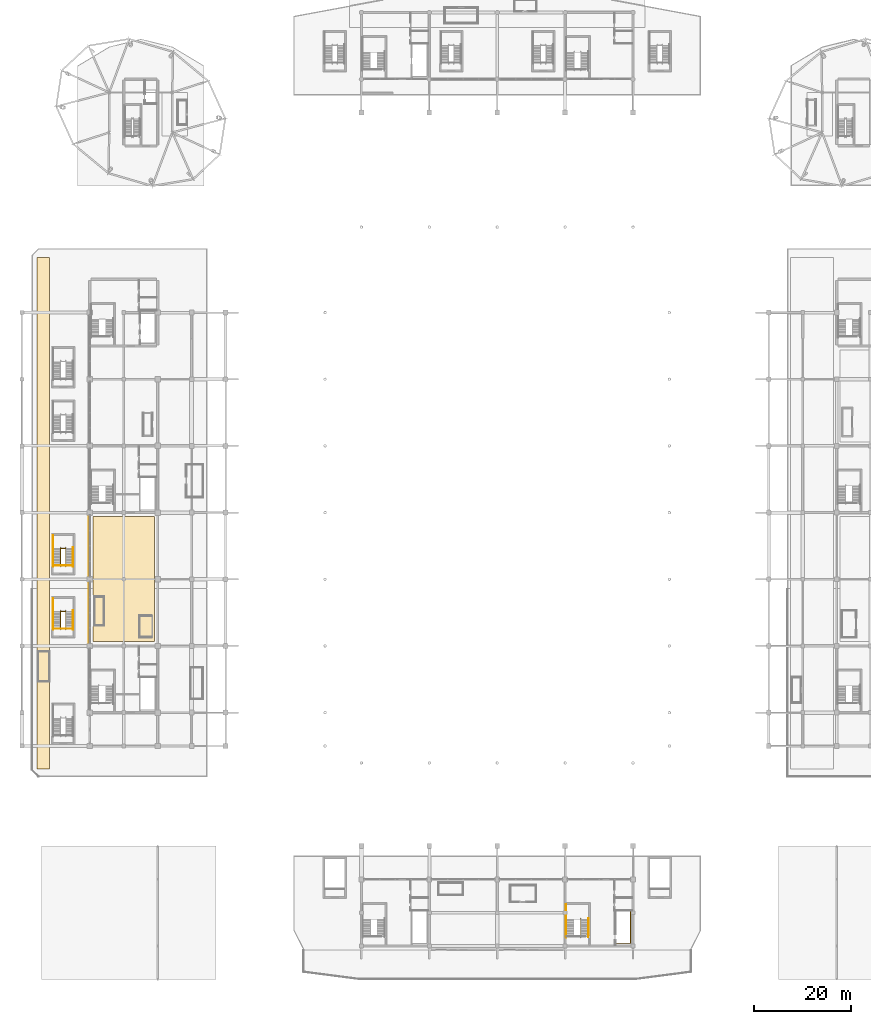
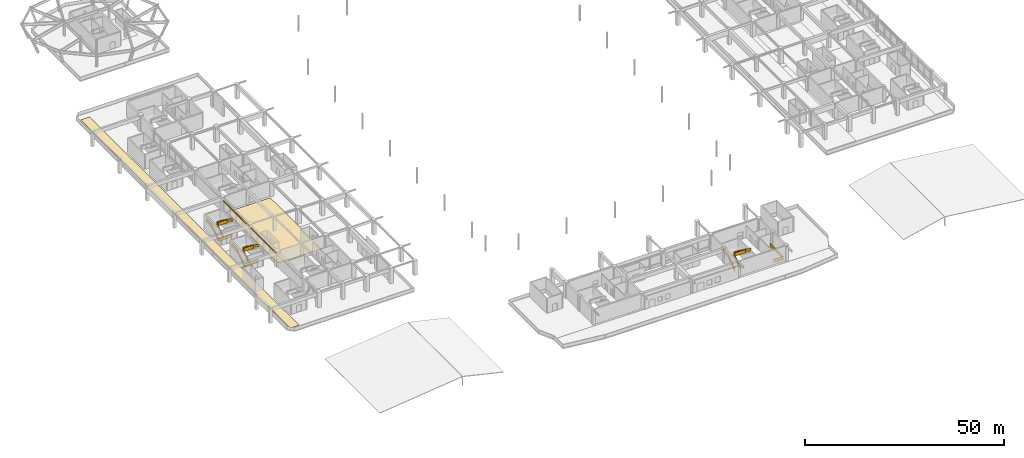
# One storey, part 81 of 91: 12 railings, 2 coverings, 2 shading devices.
"""IFC4 building model written with IfcOpenShell, lengths in metres."""

import ifcopenshell
import ifcopenshell.guid

model = None  # the IFC model being written
_history = None  # IfcOwnerHistory: only IFC2X3 demands one
_inside = {}  # id of a spatial element -> (the spatial element, [elements in it])
_under = {}  # id of a project, library or spatial element -> (it, [spatial elements below it])
_declared = {}  # id of a project -> (the project, [libraries it declares])
_typed = {}  # id of a type object -> (the type object, [elements of that type])
_made_of = {}  # id of a material, layer set ... -> (it, [elements and type objects made of it])


def new_model(schema):
    """Start an empty IFC model of exactly this schema.

    Asked for "IFC4X3", IfcOpenShell would pick the latest addendum, in which some entities
    have other attributes; the version numbers below select the first issue.
    IFC2X3 requires an IfcOwnerHistory on every rooted entity: one is made here for all.
    """
    global model, _history
    if schema == "IFC4X3":
        model = ifcopenshell.file(schema_version=(4, 3, 0, 0))
    else:
        model = ifcopenshell.file(schema=schema)
    _inside.clear()
    _under.clear()
    _declared.clear()
    _typed.clear()
    _made_of.clear()
    _history = None
    if model.schema == "IFC2X3":
        org = make("IfcOrganization", Name="unknown")
        user = make(
            "IfcPersonAndOrganization",
            ThePerson=make("IfcPerson", FamilyName="unknown"),
            TheOrganization=org,
        )
        app = make(
            "IfcApplication",
            ApplicationDeveloper=org,
            Version="unknown",
            ApplicationFullName="unknown",
            ApplicationIdentifier="unknown",
        )
        _history = make(
            "IfcOwnerHistory",
            OwningUser=user,
            OwningApplication=app,
            ChangeAction="ADDED",
            CreationDate=0,
        )
    return model


def make(cls, **values):
    """One entity of the class cls with the attributes given. An attribute that is None is left unset."""
    return model.create_entity(
        cls, **{name: value for name, value in values.items() if value is not None}
    )


def rooted(cls, **values):
    """An entity with a GlobalId (a new one), such as an element, a storey or a relation."""
    return make(cls, GlobalId=ifcopenshell.guid.new(), OwnerHistory=_history, **values)


def si_unit(unit_type, name, prefix=None):
    """IfcSIUnit, for example si_unit("LENGTHUNIT", "METRE", prefix="MILLI")."""
    return make("IfcSIUnit", UnitType=unit_type, Prefix=prefix, Name=name)


def assignment(units):
    """IfcUnitAssignment: the units of a project."""
    return None if units is None else make("IfcUnitAssignment", Units=units)


def point(xyz):
    """IfcCartesianPoint."""
    return None if xyz is None else make("IfcCartesianPoint", Coordinates=xyz)


def direction(xyz):
    """IfcDirection."""
    return None if xyz is None else make("IfcDirection", DirectionRatios=xyz)


def frame(location, z_axis=None, x_axis=None):
    """IfcAxis2Placement3D, a coordinate frame: its origin and axes. An axis left out is left unset."""
    return make(
        "IfcAxis2Placement3D",
        Location=point(location),
        Axis=direction(z_axis),
        RefDirection=direction(x_axis),
    )


def frame_2d(location, x_axis=None):
    """IfcAxis2Placement2D, a coordinate frame in the plane: its origin and x axis."""
    return make(
        "IfcAxis2Placement2D", Location=point(location), RefDirection=direction(x_axis)
    )


def origin():
    """The frame at (0, 0, 0) with its axes left unset."""
    return frame((0.0, 0.0, 0.0))


def origin_2d():
    """The frame at (0, 0) in the plane with its x axis left unset."""
    return frame_2d((0.0, 0.0))


def place(relative_to, where):
    """IfcLocalPlacement: puts the frame where relative to a parent placement (None: the world)."""
    return make(
        "IfcLocalPlacement", PlacementRelTo=relative_to, RelativePlacement=where
    )


def context(
    kind, dimensions, precision=None, world=None, true_north=None, identifier=None
):
    """IfcGeometricRepresentationContext, for example the 3D "Model" context."""
    return make(
        "IfcGeometricRepresentationContext",
        ContextIdentifier=identifier,
        ContextType=kind,
        CoordinateSpaceDimension=dimensions,
        Precision=precision,
        WorldCoordinateSystem=world,
        TrueNorth=true_north,
    )


def subcontext(parent, identifier, kind, view, scale=None):
    """IfcGeometricRepresentationSubContext, for example "Body" below "Model"."""
    return make(
        "IfcGeometricRepresentationSubContext",
        ContextIdentifier=identifier,
        ContextType=kind,
        ParentContext=parent,
        TargetScale=scale,
        TargetView=view,
    )


def project(units=None, contexts=None):
    """IfcProject with its units and contexts."""
    return rooted(
        "IfcProject",
        Name="project",
        RepresentationContexts=contexts,
        UnitsInContext=assignment(units),
    )


def spatial(cls, under=None, at=None, **own):
    """A site, building, storey or space (cls), placed at a placement, below another one or the project."""
    s = rooted(cls, ObjectPlacement=at, **own)
    if under is not None:
        _under.setdefault(under.id(), (under, []))[1].append(s)
    return s


def polyline(points):
    """IfcPolyline through the points."""
    return make("IfcPolyline", Points=[point(p) for p in points])


def profile(cls, at=None, kind="AREA", **sizes):
    """A parametric profile (cls). Its sizes go by their IFC names, for example OverallWidth=200.0."""
    return make(cls, ProfileType=kind, Position=at, **sizes)


def rectangle(**sizes):
    """IfcRectangleProfileDef."""
    return profile("IfcRectangleProfileDef", **sizes)


def outline(outer, holes=None, kind="AREA"):
    """IfcArbitraryClosedProfileDef: a profile drawn as a closed curve; with holes, ...WithVoids."""
    if holes is None:
        return make("IfcArbitraryClosedProfileDef", ProfileType=kind, OuterCurve=outer)
    return make(
        "IfcArbitraryProfileDefWithVoids",
        ProfileType=kind,
        OuterCurve=outer,
        InnerCurves=holes,
    )


def extrude(swept, where, along, depth):
    """IfcExtrudedAreaSolid: the profile swept, set in the frame where, extruded along a direction by depth."""
    return make(
        "IfcExtrudedAreaSolid",
        SweptArea=swept,
        Position=where,
        ExtrudedDirection=direction(along),
        Depth=depth,
    )


def shape(context_of_items, identifier, shape_type, items):
    """IfcShapeRepresentation: the items that make up one representation, for example the "Body"."""
    return make(
        "IfcShapeRepresentation",
        ContextOfItems=context_of_items,
        RepresentationIdentifier=identifier,
        RepresentationType=shape_type,
        Items=items,
    )


def material(Name=None, Category=None):
    """IfcMaterial."""
    return make("IfcMaterial", Name=Name, Category=Category)


def layer(
    of_material, thickness, ventilated=None, Name=None, Category=None, Priority=None
):
    """IfcMaterialLayer: one layer of a wall or slab, of a material (None: an air gap)."""
    return make(
        "IfcMaterialLayer",
        Material=of_material,
        LayerThickness=thickness,
        IsVentilated=ventilated,
        Name=Name,
        Category=Category,
        Priority=Priority,
    )


def layer_set(layers, Name=None):
    """IfcMaterialLayerSet."""
    return make("IfcMaterialLayerSet", MaterialLayers=layers, LayerSetName=Name)


def made_of(thing, what):
    """Note that an element or type object is made of a material, layer set ...; save() writes the relation."""
    if what is not None:
        _made_of.setdefault(what.id(), (what, []))[1].append(thing)
    return thing


def type_object(cls, material=None, **own):
    """A type object (cls), such as IfcWallType, which elements share."""
    return made_of(rooted(cls, **own), material)


def element(
    cls,
    number,
    at=None,
    inside=None,
    cuts=None,
    type_object=None,
    material=None,
    context=None,
    identifier="Body",
    shape_type=None,
    held_by="IfcProductDefinitionShape",
    body=None,
    shapes=None,
    **own,
):
    """One element of the class cls, such as IfcWall. Its Tag is "e" and its number.

    at: its placement. inside: the storey or other place that contains it. cuts: it is an
    opening in that element (IfcRelVoidsElement). A single representation is given by context,
    identifier, shape_type and body (its items); several are given by shapes. held_by: the class
    of the entity that holds the representations. save() writes the other relations.
    """
    e = rooted(cls, Tag="e%d" % number, ObjectPlacement=at, **own)
    if body is not None:
        shapes = [shape(context, identifier, shape_type, body)]
    if shapes is not None:
        e.Representation = make(held_by, Representations=shapes)
    if inside is not None:
        _inside.setdefault(inside.id(), (inside, []))[1].append(e)
    if cuts is not None:
        rooted(
            "IfcRelVoidsElement", RelatingBuildingElement=cuts, RelatedOpeningElement=e
        )
    if type_object is not None:
        _typed.setdefault(type_object.id(), (type_object, []))[1].append(e)
    return made_of(e, material)


def aggregate(whole, parts):
    """IfcRelAggregates: a whole, such as a stair, and the parts it consists of."""
    return rooted("IfcRelAggregates", RelatingObject=whole, RelatedObjects=parts)


def save(model, path):
    """Write the relations noted so far, then the file.

    IfcRelAggregates (storeys below a building ...), IfcRelContainedInSpatialStructure (elements
    in a storey), IfcRelDefinesByType, IfcRelAssociatesMaterial and IfcRelDeclares: one each for
    every whole, place, type object, material and project.
    """
    for whole, parts in _under.values():
        aggregate(whole, parts)
    for where, things in _inside.values():
        rooted(
            "IfcRelContainedInSpatialStructure",
            RelatedElements=things,
            RelatingStructure=where,
        )
    for kind, things in _typed.values():
        rooted("IfcRelDefinesByType", RelatedObjects=things, RelatingType=kind)
    for what, things in _made_of.values():
        rooted("IfcRelAssociatesMaterial", RelatedObjects=things, RelatingMaterial=what)
    for by, libraries in _declared.values():
        rooted("IfcRelDeclares", RelatingContext=by, RelatedDefinitions=libraries)
    model.write(path)


model = new_model("IFC4")

# Units and contexts
model_context = context("Model", 3, precision=1e-05, world=origin(), true_north=direction((0.0, 1.0)))
body_context = subcontext(model_context, "Body", "Model", "MODEL_VIEW")
ifc_project = project(units=[si_unit("LENGTHUNIT", "METRE"), si_unit("AREAUNIT", "SQUARE_METRE"), si_unit("VOLUMEUNIT", "CUBIC_METRE"), si_unit("PLANEANGLEUNIT", "RADIAN"), si_unit("MASSUNIT", "GRAM", prefix="KILO")], contexts=[model_context])

# Site, building, storey
site_placement = place(None, origin())
site = spatial("IfcSite", under=ifc_project, at=site_placement, CompositionType="ELEMENT")
building_placement = place(site_placement, origin())
building = spatial("IfcBuilding", under=site, at=building_placement, Name="Linyun Crest Stadium", CompositionType="ELEMENT")
storey_placement = place(building_placement, frame((0.0, 0.0, 11.39990234375)))
storey = spatial("IfcBuildingStorey", under=building, at=storey_placement, Name="L03", CompositionType="ELEMENT", Elevation=11.39990234375)

# Coverings
ifc_material_1 = material(Name="Terrazzo concourse and hospitality floor finish")
ifc_layer_1 = layer(ifc_material_1, 0.02197265625)
ifc_layer_set_1 = layer_set([ifc_layer_1], Name="Terrazzo concourse and hospitality floor finish")
covering_type = type_object("IfcCoveringType", Name="FLR02", PredefinedType="FLOORING", material=ifc_layer_set_1)
covering_1_placement = place(storey_placement, origin())
element("IfcCovering", 1, at=covering_1_placement, inside=storey, type_object=covering_type, Name="Terrazzo flooring FLR02 30", PredefinedType="FLOORING", context=body_context, shape_type="SweptSolid", body=[
    extrude(outline(polyline([(-94.89990234375, -50.699951171875), (-92.300048828125, -50.699951171875), (-92.300048828125, 54.699951171875), (-94.89990234375, 54.699951171875), (-94.89990234375, -50.699951171875)])), origin(), (0.0, 0.0, 1.0), 0.022216796875),
])
covering_2_placement = place(storey_placement, origin())
element("IfcCovering", 2, at=covering_2_placement, inside=storey, type_object=covering_type, Name="Terrazzo flooring FLR02 31", PredefinedType="FLOORING", context=body_context, shape_type="SweptSolid", body=[
    extrude(outline(polyline([(-83.300048828125, -24.5), (-70.699951171875, -24.5), (-70.699951171875, 1.300048828125), (-83.300048828125, 1.300048828125), (-83.300048828125, -24.5)])), origin(), (0.0, 0.0, 1.0), 0.022216796875),
])

# Railings
ifc_material_2 = material(Name="Galvanized and powder-coated steel bowl safety barrier", Category="steel")
railing_type_1 = type_object("IfcRailingType", Name="GR02", PredefinedType="GUARDRAIL", material=ifc_material_2)
for number, where, name in (
    (3, (-91.4599609375, -21.81005859375, 0.0), "Slab edge balustrade GR02 43"),
    (4, (-91.4599609375, -8.81005859375, 0.0), "Slab edge balustrade GR02 49"),
):
    element("IfcRailing", number, at=place(storey_placement, frame(where)), inside=storey, type_object=railing_type_1, Name=name, PredefinedType="GUARDRAIL", context=body_context, shape_type="SweptSolid", body=[
        extrude(rectangle(XDim=0.06005859375, YDim=0.06005859375, at=origin_2d()), frame((0.0, 0.0, 1.090087890625), z_axis=(1.0, 0.0, 0.0), x_axis=(0.0, 1.0, 0.0)), (0.0, 0.0, 1.0), 3.919921875),
        extrude(rectangle(XDim=0.030029296875, YDim=1.0, at=origin_2d()), frame((0.0, 0.0, 0.56005859375), z_axis=(1.0, 0.0, 0.0), x_axis=(0.0, 1.0, 0.0)), (0.0, 0.0, 1.0), 3.919921875),
        extrude(rectangle(XDim=0.06005859375, YDim=0.06005859375, at=origin_2d()), frame((0.0, 0.0, 0.030029296875), z_axis=(1.0, 0.0, 0.0), x_axis=(0.0, 1.0, 0.0)), (0.0, 0.0, 1.0), 3.919921875),
        extrude(rectangle(XDim=0.050048828125, YDim=0.050048828125, at=origin_2d()), origin(), (0.0, 0.0, 1.0), 1.1201171875),
        extrude(rectangle(XDim=0.050048828125, YDim=0.050048828125, at=origin_2d()), frame((3.919921875, 0.0, 0.0)), (0.0, 0.0, 1.0), 1.1201171875),
    ])
railing_1_placement = place(storey_placement, frame((24.580078125, -86.659912109375, 0.0)))
element("IfcRailing", 5, at=railing_1_placement, inside=storey, type_object=railing_type_1, Name="Slab edge balustrade GR02 263", PredefinedType="GUARDRAIL", context=body_context, shape_type="SweptSolid", body=[
    extrude(rectangle(XDim=0.06005859375, YDim=0.06005859375, at=origin_2d()), frame((0.0, 0.0, 1.090087890625), z_axis=(1.0, 0.0, 0.0), x_axis=(0.0, 1.0, 0.0)), (0.0, 0.0, 1.0), 2.8798828125),
    extrude(rectangle(XDim=0.030029296875, YDim=1.0, at=origin_2d()), frame((0.0, 0.0, 0.56005859375), z_axis=(1.0, 0.0, 0.0), x_axis=(0.0, 1.0, 0.0)), (0.0, 0.0, 1.0), 2.8798828125),
    extrude(rectangle(XDim=0.06005859375, YDim=0.06005859375, at=origin_2d()), frame((0.0, 0.0, 0.030029296875), z_axis=(1.0, 0.0, 0.0), x_axis=(0.0, 1.0, 0.0)), (0.0, 0.0, 1.0), 2.8798828125),
    extrude(rectangle(XDim=0.06005859375, YDim=0.06005859375, at=origin_2d()), frame((2.8798828125, 0.0, 1.090087890625), z_axis=(0.0, 1.0, 0.0), x_axis=(-1.0, 0.0, 0.0)), (0.0, 0.0, 1.0), 6.5498046875),
    extrude(rectangle(XDim=0.030029296875, YDim=1.0, at=origin_2d()), frame((2.8798828125, 0.0, 0.56005859375), z_axis=(0.0, 1.0, 0.0), x_axis=(-1.0, 0.0, 0.0)), (0.0, 0.0, 1.0), 6.5498046875),
    extrude(rectangle(XDim=0.06005859375, YDim=0.06005859375, at=origin_2d()), frame((2.8798828125, 0.0, 0.030029296875), z_axis=(0.0, 1.0, 0.0), x_axis=(-1.0, 0.0, 0.0)), (0.0, 0.0, 1.0), 6.5498046875),
    extrude(rectangle(XDim=0.050048828125, YDim=0.050048828125, at=origin_2d()), origin(), (0.0, 0.0, 1.0), 1.1201171875),
    extrude(rectangle(XDim=0.050048828125, YDim=0.050048828125, at=origin_2d()), frame((2.8798828125, 0.0, 0.0)), (0.0, 0.0, 1.0), 1.1201171875),
    extrude(rectangle(XDim=0.050048828125, YDim=0.050048828125, at=origin_2d()), frame((2.8798828125, 3.27490234375, 0.0)), (0.0, 0.0, 1.0), 1.1201171875),
    extrude(rectangle(XDim=0.050048828125, YDim=0.050048828125, at=origin_2d()), frame((2.8798828125, 6.5498046875, 0.0)), (0.0, 0.0, 1.0), 1.1201171875),
])
ifc_material_3 = material(Name="Painted steel stairwell safety guard", Category="steel")
railing_type_2 = type_object("IfcRailingType", Name="GR03", PredefinedType="GUARDRAIL", material=ifc_material_3)
railing_2_placement = place(storey_placement, frame((14.205078125, -85.260009765625, 0.0)))
element("IfcRailing", 6, at=railing_2_placement, inside=storey, type_object=railing_type_2, Name="STR-10-L03 outer guard", PredefinedType="GUARDRAIL", context=body_context, shape_type="SweptSolid", body=[
    extrude(rectangle(XDim=0.06005859375, YDim=0.06005859375, at=origin_2d()), frame((0.0, 0.0, 1.090087890625), z_axis=(0.0, 0.824712752785, 0.565551832633), x_axis=(-1.0, 0.0, 0.0)), (0.0, 0.0, 1.0), 4.243896484375),
    extrude(rectangle(XDim=0.030029296875, YDim=1.0, at=origin_2d()), frame((0.0, 0.0, 0.56005859375), z_axis=(0.0, 0.824712752785, 0.565551832633), x_axis=(-1.0, 0.0, 0.0)), (0.0, 0.0, 1.0), 4.243896484375),
    extrude(rectangle(XDim=0.06005859375, YDim=0.06005859375, at=origin_2d()), frame((0.0, 0.0, 0.030029296875), z_axis=(0.0, 0.824712752785, 0.565551832633), x_axis=(-1.0, 0.0, 0.0)), (0.0, 0.0, 1.0), 4.243896484375),
    extrude(rectangle(XDim=0.06005859375, YDim=0.06005859375, at=origin_2d()), frame((0.0, 3.5, 3.490234375), z_axis=(0.0, 1.0, 0.0), x_axis=(-1.0, 0.0, 0.0)), (0.0, 0.0, 1.0), 3.080078125),
    extrude(rectangle(XDim=0.030029296875, YDim=1.0, at=origin_2d()), frame((0.0, 3.5, 2.960205078125), z_axis=(0.0, 1.0, 0.0), x_axis=(-1.0, 0.0, 0.0)), (0.0, 0.0, 1.0), 3.080078125),
    extrude(rectangle(XDim=0.06005859375, YDim=0.06005859375, at=origin_2d()), frame((0.0, 3.5, 2.43017578125), z_axis=(0.0, 1.0, 0.0), x_axis=(-1.0, 0.0, 0.0)), (0.0, 0.0, 1.0), 3.080078125),
    extrude(rectangle(XDim=0.050048828125, YDim=0.050048828125, at=origin_2d()), origin(), (0.0, 0.0, 1.0), 1.1201171875),
    extrude(rectangle(XDim=0.050048828125, YDim=0.050048828125, at=origin_2d()), frame((0.0, 1.166748046875, 0.800048828125)), (0.0, 0.0, 1.0), 1.1201171875),
    extrude(rectangle(XDim=0.050048828125, YDim=0.050048828125, at=origin_2d()), frame((0.0, 2.333251953125, 1.60009765625)), (0.0, 0.0, 1.0), 1.1201171875),
    extrude(rectangle(XDim=0.050048828125, YDim=0.050048828125, at=origin_2d()), frame((0.0, 3.5, 2.400146484375)), (0.0, 0.0, 1.0), 1.1201171875),
    extrude(rectangle(XDim=0.050048828125, YDim=0.050048828125, at=origin_2d()), frame((0.0, 5.0400390625, 2.400146484375)), (0.0, 0.0, 1.0), 1.1201171875),
    extrude(rectangle(XDim=0.050048828125, YDim=0.050048828125, at=origin_2d()), frame((0.0, 6.580078125, 2.400146484375)), (0.0, 0.0, 1.0), 1.1201171875),
])
railing_3_placement = place(storey_placement, frame((15.844970703125, -85.280029296875, 0.0)))
element("IfcRailing", 7, at=railing_3_placement, inside=storey, type_object=railing_type_2, Name="STR-10-L03 inner well guard", PredefinedType="GUARDRAIL", context=body_context, shape_type="SweptSolid", body=[
    extrude(rectangle(XDim=0.06005859375, YDim=0.06005859375, at=origin_2d()), frame((0.0, 0.0, 1.090087890625), z_axis=(0.0, 0.826212794201, 0.563358162005), x_axis=(-1.0, 0.0, 0.0)), (0.0, 0.0, 1.0), 4.260498046875),
    extrude(rectangle(XDim=0.030029296875, YDim=1.0, at=origin_2d()), frame((0.0, 0.0, 0.56005859375), z_axis=(0.0, 0.826212794201, 0.563358162005), x_axis=(-1.0, 0.0, 0.0)), (0.0, 0.0, 1.0), 4.260498046875),
    extrude(rectangle(XDim=0.06005859375, YDim=0.06005859375, at=origin_2d()), frame((0.0, 0.0, 0.030029296875), z_axis=(0.0, 0.826212794201, 0.563358162005), x_axis=(-1.0, 0.0, 0.0)), (0.0, 0.0, 1.0), 4.260498046875),
    extrude(rectangle(XDim=0.06005859375, YDim=0.06005859375, at=origin_2d()), frame((0.0, 3.52001953125, 3.490234375), z_axis=(1.0, 0.0, 0.0), x_axis=(0.0, 1.0, 0.0)), (0.0, 0.0, 1.0), 1.385009765625),
    extrude(rectangle(XDim=0.030029296875, YDim=1.0, at=origin_2d()), frame((0.0, 3.52001953125, 2.960205078125), z_axis=(1.0, 0.0, 0.0), x_axis=(0.0, 1.0, 0.0)), (0.0, 0.0, 1.0), 1.385009765625),
    extrude(rectangle(XDim=0.06005859375, YDim=0.06005859375, at=origin_2d()), frame((0.0, 3.52001953125, 2.43017578125), z_axis=(1.0, 0.0, 0.0), x_axis=(0.0, 1.0, 0.0)), (0.0, 0.0, 1.0), 1.385009765625),
    extrude(rectangle(XDim=0.06005859375, YDim=0.06005859375, at=origin_2d()), frame((1.385009765625, 3.52001953125, 3.490234375), z_axis=(0.0, -0.826239466617, 0.563319042644), x_axis=(1.0, 0.0, 0.0)), (0.0, 0.0, 1.0), 4.26025390625),
    extrude(rectangle(XDim=0.030029296875, YDim=1.0, at=origin_2d()), frame((1.385009765625, 3.52001953125, 2.960205078125), z_axis=(0.0, -0.826239466617, 0.563319042644), x_axis=(1.0, 0.0, 0.0)), (0.0, 0.0, 1.0), 4.26025390625),
    extrude(rectangle(XDim=0.06005859375, YDim=0.06005859375, at=origin_2d()), frame((1.385009765625, 3.52001953125, 2.43017578125), z_axis=(0.0, -0.826239466617, 0.563319042644), x_axis=(1.0, 0.0, 0.0)), (0.0, 0.0, 1.0), 4.26025390625),
    extrude(rectangle(XDim=0.06005859375, YDim=0.06005859375, at=origin_2d()), frame((1.385009765625, 0.0, 5.89013671875), z_axis=(-1.0, 0.0, 0.0), x_axis=(0.0, -1.0, 0.0)), (0.0, 0.0, 1.0), 3.034912109375),
    extrude(rectangle(XDim=0.030029296875, YDim=1.0, at=origin_2d()), frame((1.385009765625, 0.0, 5.360107421875), z_axis=(-1.0, 0.0, 0.0), x_axis=(0.0, -1.0, 0.0)), (0.0, 0.0, 1.0), 3.034912109375),
    extrude(rectangle(XDim=0.06005859375, YDim=0.06005859375, at=origin_2d()), frame((1.385009765625, 0.0, 4.830078125), z_axis=(-1.0, 0.0, 0.0), x_axis=(0.0, -1.0, 0.0)), (0.0, 0.0, 1.0), 3.034912109375),
    extrude(rectangle(XDim=0.050048828125, YDim=0.050048828125, at=origin_2d()), origin(), (0.0, 0.0, 1.0), 1.1201171875),
    extrude(rectangle(XDim=0.050048828125, YDim=0.050048828125, at=origin_2d()), frame((0.0, 1.17333984375, 0.800048828125)), (0.0, 0.0, 1.0), 1.1201171875),
    extrude(rectangle(XDim=0.050048828125, YDim=0.050048828125, at=origin_2d()), frame((0.0, 2.3466796875, 1.60009765625)), (0.0, 0.0, 1.0), 1.1201171875),
    extrude(rectangle(XDim=0.050048828125, YDim=0.050048828125, at=origin_2d()), frame((0.0, 3.52001953125, 2.400146484375)), (0.0, 0.0, 1.0), 1.1201171875),
    extrude(rectangle(XDim=0.050048828125, YDim=0.050048828125, at=origin_2d()), frame((1.385009765625, 3.52001953125, 2.400146484375)), (0.0, 0.0, 1.0), 1.1201171875),
    extrude(rectangle(XDim=0.050048828125, YDim=0.050048828125, at=origin_2d()), frame((1.385009765625, 2.3466796875, 3.2001953125)), (0.0, 0.0, 1.0), 1.1201171875),
    extrude(rectangle(XDim=0.050048828125, YDim=0.050048828125, at=origin_2d()), frame((1.385009765625, 1.17333984375, 4.0)), (0.0, 0.0, 1.0), 1.1201171875),
    extrude(rectangle(XDim=0.050048828125, YDim=0.050048828125, at=origin_2d()), frame((1.385009765625, 0.0, 4.800048828125)), (0.0, 0.0, 1.0), 1.1201171875),
    extrude(rectangle(XDim=0.050048828125, YDim=0.050048828125, at=origin_2d()), frame((-0.13232421875, 0.0, 4.800048828125)), (0.0, 0.0, 1.0), 1.1201171875),
    extrude(rectangle(XDim=0.050048828125, YDim=0.050048828125, at=origin_2d()), frame((-1.64990234375, 0.0, 4.800048828125)), (0.0, 0.0, 1.0), 1.1201171875),
])
railing_4_placement = place(storey_placement, frame((-91.570068359375, -21.780029296875, 0.0)))
element("IfcRailing", 8, at=railing_4_placement, inside=storey, type_object=railing_type_2, Name="STR-14-L03 outer guard", PredefinedType="GUARDRAIL", context=body_context, shape_type="SweptSolid", body=[
    extrude(rectangle(XDim=0.06005859375, YDim=0.06005859375, at=origin_2d()), frame((0.0, 0.0, 1.090087890625), z_axis=(0.0, 0.824712752785, 0.565551832633), x_axis=(-1.0, 0.0, 0.0)), (0.0, 0.0, 1.0), 4.243896484375),
    extrude(rectangle(XDim=0.030029296875, YDim=1.0, at=origin_2d()), frame((0.0, 0.0, 0.56005859375), z_axis=(0.0, 0.824712752785, 0.565551832633), x_axis=(-1.0, 0.0, 0.0)), (0.0, 0.0, 1.0), 4.243896484375),
    extrude(rectangle(XDim=0.06005859375, YDim=0.06005859375, at=origin_2d()), frame((0.0, 0.0, 0.030029296875), z_axis=(0.0, 0.824712752785, 0.565551832633), x_axis=(-1.0, 0.0, 0.0)), (0.0, 0.0, 1.0), 4.243896484375),
    extrude(rectangle(XDim=0.06005859375, YDim=0.06005859375, at=origin_2d()), frame((0.0, 3.5, 3.490234375), z_axis=(0.0, 1.0, 0.0), x_axis=(-1.0, 0.0, 0.0)), (0.0, 0.0, 1.0), 2.75),
    extrude(rectangle(XDim=0.030029296875, YDim=1.0, at=origin_2d()), frame((0.0, 3.5, 2.960205078125), z_axis=(0.0, 1.0, 0.0), x_axis=(-1.0, 0.0, 0.0)), (0.0, 0.0, 1.0), 2.75),
    extrude(rectangle(XDim=0.06005859375, YDim=0.06005859375, at=origin_2d()), frame((0.0, 3.5, 2.43017578125), z_axis=(0.0, 1.0, 0.0), x_axis=(-1.0, 0.0, 0.0)), (0.0, 0.0, 1.0), 2.75),
    extrude(rectangle(XDim=0.050048828125, YDim=0.050048828125, at=origin_2d()), origin(), (0.0, 0.0, 1.0), 1.1201171875),
    extrude(rectangle(XDim=0.050048828125, YDim=0.050048828125, at=origin_2d()), frame((0.0, 1.166748046875, 0.800048828125)), (0.0, 0.0, 1.0), 1.1201171875),
    extrude(rectangle(XDim=0.050048828125, YDim=0.050048828125, at=origin_2d()), frame((0.0, 2.333251953125, 1.60009765625)), (0.0, 0.0, 1.0), 1.1201171875),
    extrude(rectangle(XDim=0.050048828125, YDim=0.050048828125, at=origin_2d()), frame((0.0, 3.5, 2.400146484375)), (0.0, 0.0, 1.0), 1.1201171875),
    extrude(rectangle(XDim=0.050048828125, YDim=0.050048828125, at=origin_2d()), frame((0.0, 4.875, 2.400146484375)), (0.0, 0.0, 1.0), 1.1201171875),
    extrude(rectangle(XDim=0.050048828125, YDim=0.050048828125, at=origin_2d()), frame((0.0, 6.25, 2.400146484375)), (0.0, 0.0, 1.0), 1.1201171875),
])
railing_5_placement = place(storey_placement, frame((-90.030029296875, -21.800048828125, 0.0)))
element("IfcRailing", 9, at=railing_5_placement, inside=storey, type_object=railing_type_2, Name="STR-14-L03 inner well guard", PredefinedType="GUARDRAIL", context=body_context, shape_type="SweptSolid", body=[
    extrude(rectangle(XDim=0.06005859375, YDim=0.06005859375, at=origin_2d()), frame((0.0, 0.0, 1.090087890625), z_axis=(0.0, 0.826212794201, 0.563358162005), x_axis=(-1.0, 0.0, 0.0)), (0.0, 0.0, 1.0), 4.260498046875),
    extrude(rectangle(XDim=0.030029296875, YDim=1.0, at=origin_2d()), frame((0.0, 0.0, 0.56005859375), z_axis=(0.0, 0.826212794201, 0.563358162005), x_axis=(-1.0, 0.0, 0.0)), (0.0, 0.0, 1.0), 4.260498046875),
    extrude(rectangle(XDim=0.06005859375, YDim=0.06005859375, at=origin_2d()), frame((0.0, 0.0, 0.030029296875), z_axis=(0.0, 0.826212794201, 0.563358162005), x_axis=(-1.0, 0.0, 0.0)), (0.0, 0.0, 1.0), 4.260498046875),
    extrude(rectangle(XDim=0.06005859375, YDim=0.06005859375, at=origin_2d()), frame((0.0, 3.52001953125, 3.490234375), z_axis=(1.0, 0.0, 0.0), x_axis=(0.0, 1.0, 0.0)), (0.0, 0.0, 1.0), 1.06005859375),
    extrude(rectangle(XDim=0.030029296875, YDim=1.0, at=origin_2d()), frame((0.0, 3.52001953125, 2.960205078125), z_axis=(1.0, 0.0, 0.0), x_axis=(0.0, 1.0, 0.0)), (0.0, 0.0, 1.0), 1.06005859375),
    extrude(rectangle(XDim=0.06005859375, YDim=0.06005859375, at=origin_2d()), frame((0.0, 3.52001953125, 2.43017578125), z_axis=(1.0, 0.0, 0.0), x_axis=(0.0, 1.0, 0.0)), (0.0, 0.0, 1.0), 1.06005859375),
    extrude(rectangle(XDim=0.06005859375, YDim=0.06005859375, at=origin_2d()), frame((1.06005859375, 3.52001953125, 3.490234375), z_axis=(0.0, -0.826239466617, 0.563319042644), x_axis=(1.0, 0.0, 0.0)), (0.0, 0.0, 1.0), 4.26025390625),
    extrude(rectangle(XDim=0.030029296875, YDim=1.0, at=origin_2d()), frame((1.06005859375, 3.52001953125, 2.960205078125), z_axis=(0.0, -0.826239466617, 0.563319042644), x_axis=(1.0, 0.0, 0.0)), (0.0, 0.0, 1.0), 4.26025390625),
    extrude(rectangle(XDim=0.06005859375, YDim=0.06005859375, at=origin_2d()), frame((1.06005859375, 3.52001953125, 2.43017578125), z_axis=(0.0, -0.826239466617, 0.563319042644), x_axis=(1.0, 0.0, 0.0)), (0.0, 0.0, 1.0), 4.26025390625),
    extrude(rectangle(XDim=0.06005859375, YDim=0.06005859375, at=origin_2d()), frame((1.06005859375, 0.0, 5.89013671875), z_axis=(-1.0, 0.0, 0.0), x_axis=(0.0, -1.0, 0.0)), (0.0, 0.0, 1.0), 2.610107421875),
    extrude(rectangle(XDim=0.030029296875, YDim=1.0, at=origin_2d()), frame((1.06005859375, 0.0, 5.360107421875), z_axis=(-1.0, 0.0, 0.0), x_axis=(0.0, -1.0, 0.0)), (0.0, 0.0, 1.0), 2.610107421875),
    extrude(rectangle(XDim=0.06005859375, YDim=0.06005859375, at=origin_2d()), frame((1.06005859375, 0.0, 4.830078125), z_axis=(-1.0, 0.0, 0.0), x_axis=(0.0, -1.0, 0.0)), (0.0, 0.0, 1.0), 2.610107421875),
    extrude(rectangle(XDim=0.050048828125, YDim=0.050048828125, at=origin_2d()), origin(), (0.0, 0.0, 1.0), 1.1201171875),
    extrude(rectangle(XDim=0.050048828125, YDim=0.050048828125, at=origin_2d()), frame((0.0, 1.17333984375, 0.800048828125)), (0.0, 0.0, 1.0), 1.1201171875),
    extrude(rectangle(XDim=0.050048828125, YDim=0.050048828125, at=origin_2d()), frame((0.0, 2.3466796875, 1.60009765625)), (0.0, 0.0, 1.0), 1.1201171875),
    extrude(rectangle(XDim=0.050048828125, YDim=0.050048828125, at=origin_2d()), frame((0.0, 3.52001953125, 2.400146484375)), (0.0, 0.0, 1.0), 1.1201171875),
    extrude(rectangle(XDim=0.050048828125, YDim=0.050048828125, at=origin_2d()), frame((1.06005859375, 3.52001953125, 2.400146484375)), (0.0, 0.0, 1.0), 1.1201171875),
    extrude(rectangle(XDim=0.050048828125, YDim=0.050048828125, at=origin_2d()), frame((1.06005859375, 2.3466796875, 3.2001953125)), (0.0, 0.0, 1.0), 1.1201171875),
    extrude(rectangle(XDim=0.050048828125, YDim=0.050048828125, at=origin_2d()), frame((1.06005859375, 1.17333984375, 4.0)), (0.0, 0.0, 1.0), 1.1201171875),
    extrude(rectangle(XDim=0.050048828125, YDim=0.050048828125, at=origin_2d()), frame((1.06005859375, 0.0, 4.800048828125)), (0.0, 0.0, 1.0), 1.1201171875),
    extrude(rectangle(XDim=0.050048828125, YDim=0.050048828125, at=origin_2d()), frame((-0.2451171875, 0.0, 4.800048828125)), (0.0, 0.0, 1.0), 1.1201171875),
    extrude(rectangle(XDim=0.050048828125, YDim=0.050048828125, at=origin_2d()), frame((-1.550048828125, 0.0, 4.800048828125)), (0.0, 0.0, 1.0), 1.1201171875),
])
railing_6_placement = place(storey_placement, frame((-91.570068359375, -8.780029296875, 0.0)))
element("IfcRailing", 10, at=railing_6_placement, inside=storey, type_object=railing_type_2, Name="STR-15-L03 outer guard", PredefinedType="GUARDRAIL", context=body_context, shape_type="SweptSolid", body=[
    extrude(rectangle(XDim=0.06005859375, YDim=0.06005859375, at=origin_2d()), frame((0.0, 0.0, 1.090087890625), z_axis=(0.0, 0.824712752785, 0.565551832633), x_axis=(-1.0, 0.0, 0.0)), (0.0, 0.0, 1.0), 4.243896484375),
    extrude(rectangle(XDim=0.030029296875, YDim=1.0, at=origin_2d()), frame((0.0, 0.0, 0.56005859375), z_axis=(0.0, 0.824712752785, 0.565551832633), x_axis=(-1.0, 0.0, 0.0)), (0.0, 0.0, 1.0), 4.243896484375),
    extrude(rectangle(XDim=0.06005859375, YDim=0.06005859375, at=origin_2d()), frame((0.0, 0.0, 0.030029296875), z_axis=(0.0, 0.824712752785, 0.565551832633), x_axis=(-1.0, 0.0, 0.0)), (0.0, 0.0, 1.0), 4.243896484375),
    extrude(rectangle(XDim=0.06005859375, YDim=0.06005859375, at=origin_2d()), frame((0.0, 3.5, 3.490234375), z_axis=(0.0, 1.0, 0.0), x_axis=(-1.0, 0.0, 0.0)), (0.0, 0.0, 1.0), 2.75),
    extrude(rectangle(XDim=0.030029296875, YDim=1.0, at=origin_2d()), frame((0.0, 3.5, 2.960205078125), z_axis=(0.0, 1.0, 0.0), x_axis=(-1.0, 0.0, 0.0)), (0.0, 0.0, 1.0), 2.75),
    extrude(rectangle(XDim=0.06005859375, YDim=0.06005859375, at=origin_2d()), frame((0.0, 3.5, 2.43017578125), z_axis=(0.0, 1.0, 0.0), x_axis=(-1.0, 0.0, 0.0)), (0.0, 0.0, 1.0), 2.75),
    extrude(rectangle(XDim=0.050048828125, YDim=0.050048828125, at=origin_2d()), origin(), (0.0, 0.0, 1.0), 1.1201171875),
    extrude(rectangle(XDim=0.050048828125, YDim=0.050048828125, at=origin_2d()), frame((0.0, 1.166748046875, 0.800048828125)), (0.0, 0.0, 1.0), 1.1201171875),
    extrude(rectangle(XDim=0.050048828125, YDim=0.050048828125, at=origin_2d()), frame((0.0, 2.333251953125, 1.60009765625)), (0.0, 0.0, 1.0), 1.1201171875),
    extrude(rectangle(XDim=0.050048828125, YDim=0.050048828125, at=origin_2d()), frame((0.0, 3.5, 2.400146484375)), (0.0, 0.0, 1.0), 1.1201171875),
    extrude(rectangle(XDim=0.050048828125, YDim=0.050048828125, at=origin_2d()), frame((0.0, 4.875, 2.400146484375)), (0.0, 0.0, 1.0), 1.1201171875),
    extrude(rectangle(XDim=0.050048828125, YDim=0.050048828125, at=origin_2d()), frame((0.0, 6.25, 2.400146484375)), (0.0, 0.0, 1.0), 1.1201171875),
])
railing_7_placement = place(storey_placement, frame((-90.030029296875, -8.800048828125, 0.0)))
element("IfcRailing", 11, at=railing_7_placement, inside=storey, type_object=railing_type_2, Name="STR-15-L03 inner well guard", PredefinedType="GUARDRAIL", context=body_context, shape_type="SweptSolid", body=[
    extrude(rectangle(XDim=0.06005859375, YDim=0.06005859375, at=origin_2d()), frame((0.0, 0.0, 1.090087890625), z_axis=(0.0, 0.826212794201, 0.563358162005), x_axis=(-1.0, 0.0, 0.0)), (0.0, 0.0, 1.0), 4.260498046875),
    extrude(rectangle(XDim=0.030029296875, YDim=1.0, at=origin_2d()), frame((0.0, 0.0, 0.56005859375), z_axis=(0.0, 0.826212794201, 0.563358162005), x_axis=(-1.0, 0.0, 0.0)), (0.0, 0.0, 1.0), 4.260498046875),
    extrude(rectangle(XDim=0.06005859375, YDim=0.06005859375, at=origin_2d()), frame((0.0, 0.0, 0.030029296875), z_axis=(0.0, 0.826212794201, 0.563358162005), x_axis=(-1.0, 0.0, 0.0)), (0.0, 0.0, 1.0), 4.260498046875),
    extrude(rectangle(XDim=0.06005859375, YDim=0.06005859375, at=origin_2d()), frame((0.0, 3.52001953125, 3.490234375), z_axis=(1.0, 0.0, 0.0), x_axis=(0.0, 1.0, 0.0)), (0.0, 0.0, 1.0), 1.06005859375),
    extrude(rectangle(XDim=0.030029296875, YDim=1.0, at=origin_2d()), frame((0.0, 3.52001953125, 2.960205078125), z_axis=(1.0, 0.0, 0.0), x_axis=(0.0, 1.0, 0.0)), (0.0, 0.0, 1.0), 1.06005859375),
    extrude(rectangle(XDim=0.06005859375, YDim=0.06005859375, at=origin_2d()), frame((0.0, 3.52001953125, 2.43017578125), z_axis=(1.0, 0.0, 0.0), x_axis=(0.0, 1.0, 0.0)), (0.0, 0.0, 1.0), 1.06005859375),
    extrude(rectangle(XDim=0.06005859375, YDim=0.06005859375, at=origin_2d()), frame((1.06005859375, 3.52001953125, 3.490234375), z_axis=(0.0, -0.826239466617, 0.563319042644), x_axis=(1.0, 0.0, 0.0)), (0.0, 0.0, 1.0), 4.26025390625),
    extrude(rectangle(XDim=0.030029296875, YDim=1.0, at=origin_2d()), frame((1.06005859375, 3.52001953125, 2.960205078125), z_axis=(0.0, -0.826239466617, 0.563319042644), x_axis=(1.0, 0.0, 0.0)), (0.0, 0.0, 1.0), 4.26025390625),
    extrude(rectangle(XDim=0.06005859375, YDim=0.06005859375, at=origin_2d()), frame((1.06005859375, 3.52001953125, 2.43017578125), z_axis=(0.0, -0.826239466617, 0.563319042644), x_axis=(1.0, 0.0, 0.0)), (0.0, 0.0, 1.0), 4.26025390625),
    extrude(rectangle(XDim=0.06005859375, YDim=0.06005859375, at=origin_2d()), frame((1.06005859375, 0.0, 5.89013671875), z_axis=(-1.0, 0.0, 0.0), x_axis=(0.0, -1.0, 0.0)), (0.0, 0.0, 1.0), 2.610107421875),
    extrude(rectangle(XDim=0.030029296875, YDim=1.0, at=origin_2d()), frame((1.06005859375, 0.0, 5.360107421875), z_axis=(-1.0, 0.0, 0.0), x_axis=(0.0, -1.0, 0.0)), (0.0, 0.0, 1.0), 2.610107421875),
    extrude(rectangle(XDim=0.06005859375, YDim=0.06005859375, at=origin_2d()), frame((1.06005859375, 0.0, 4.830078125), z_axis=(-1.0, 0.0, 0.0), x_axis=(0.0, -1.0, 0.0)), (0.0, 0.0, 1.0), 2.610107421875),
    extrude(rectangle(XDim=0.050048828125, YDim=0.050048828125, at=origin_2d()), origin(), (0.0, 0.0, 1.0), 1.1201171875),
    extrude(rectangle(XDim=0.050048828125, YDim=0.050048828125, at=origin_2d()), frame((0.0, 1.17333984375, 0.800048828125)), (0.0, 0.0, 1.0), 1.1201171875),
    extrude(rectangle(XDim=0.050048828125, YDim=0.050048828125, at=origin_2d()), frame((0.0, 2.3466796875, 1.60009765625)), (0.0, 0.0, 1.0), 1.1201171875),
    extrude(rectangle(XDim=0.050048828125, YDim=0.050048828125, at=origin_2d()), frame((0.0, 3.52001953125, 2.400146484375)), (0.0, 0.0, 1.0), 1.1201171875),
    extrude(rectangle(XDim=0.050048828125, YDim=0.050048828125, at=origin_2d()), frame((1.06005859375, 3.52001953125, 2.400146484375)), (0.0, 0.0, 1.0), 1.1201171875),
    extrude(rectangle(XDim=0.050048828125, YDim=0.050048828125, at=origin_2d()), frame((1.06005859375, 2.3466796875, 3.2001953125)), (0.0, 0.0, 1.0), 1.1201171875),
    extrude(rectangle(XDim=0.050048828125, YDim=0.050048828125, at=origin_2d()), frame((1.06005859375, 1.17333984375, 4.0)), (0.0, 0.0, 1.0), 1.1201171875),
    extrude(rectangle(XDim=0.050048828125, YDim=0.050048828125, at=origin_2d()), frame((1.06005859375, 0.0, 4.800048828125)), (0.0, 0.0, 1.0), 1.1201171875),
    extrude(rectangle(XDim=0.050048828125, YDim=0.050048828125, at=origin_2d()), frame((-0.2451171875, 0.0, 4.800048828125)), (0.0, 0.0, 1.0), 1.1201171875),
    extrude(rectangle(XDim=0.050048828125, YDim=0.050048828125, at=origin_2d()), frame((-1.550048828125, 0.0, 4.800048828125)), (0.0, 0.0, 1.0), 1.1201171875),
])
ifc_material_4 = material(Name="Brushed stainless steel tubular handrail", Category="steel")
railing_type_3 = type_object("IfcRailingType", Name="HR01", PredefinedType="HANDRAIL", material=ifc_material_4)
for number, where, name in (
    (12, (18.820068359375, -81.760009765625, 2.400146484375), "STR-10-L03 handrail"),
    (13, (-87.47998046875, -18.280029296875, 2.400146484375), "STR-14-L03 handrail"),
    (14, (-87.47998046875, -5.280029296875, 2.400146484375), "STR-15-L03 handrail"),
):
    element("IfcRailing", number, at=place(storey_placement, frame(where)), inside=storey, type_object=railing_type_3, Name=name, PredefinedType="HANDRAIL", context=body_context, shape_type="SweptSolid", body=[
        extrude(rectangle(XDim=0.06005859375, YDim=0.06005859375, at=origin_2d()), frame((0.0, 0.0, 0.889892578125), z_axis=(0.0, -0.824739584531, 0.5655127034), x_axis=(1.0, 0.0, 0.0)), (0.0, 0.0, 1.0), 4.24365234375),
        extrude(rectangle(XDim=0.030029296875, YDim=0.7998046875, at=origin_2d()), frame((0.0, 0.0, 0.4599609375), z_axis=(0.0, -0.824739584531, 0.5655127034), x_axis=(1.0, 0.0, 0.0)), (0.0, 0.0, 1.0), 4.24365234375),
        extrude(rectangle(XDim=0.06005859375, YDim=0.06005859375, at=origin_2d()), frame((0.0, 0.0, 0.030029296875), z_axis=(0.0, -0.824739584531, 0.5655127034), x_axis=(1.0, 0.0, 0.0)), (0.0, 0.0, 1.0), 4.24365234375),
        extrude(rectangle(XDim=0.050048828125, YDim=0.050048828125, at=origin_2d()), origin(), (0.0, 0.0, 1.0), 0.919921875),
        extrude(rectangle(XDim=0.050048828125, YDim=0.050048828125, at=origin_2d()), frame((0.0, -1.75, 1.199951171875)), (0.0, 0.0, 1.0), 0.919921875),
        extrude(rectangle(XDim=0.050048828125, YDim=0.050048828125, at=origin_2d()), frame((0.0, -3.5, 2.39990234375)), (0.0, 0.0, 1.0), 0.919921875),
    ])

# Shading devices
ifc_material_5 = material(Name="Glazed ceramic faience brise-soleil screen")
ifc_layer_2 = layer(ifc_material_5, 0.10009765625)
ifc_layer_set_2 = layer_set([ifc_layer_2], Name="Glazed ceramic faience brise-soleil screen")
shading_device_type = type_object("IfcShadingDeviceType", Name="SD02", PredefinedType="SHUTTER", material=ifc_layer_set_2)
for number, where, z_axis, x_axis, name in (
    (15, (-84.1201171875, -18.5, 3.56005859375), (0.0, 0.0, 1.0), (1.0, 0.0, 0.0), "Veranda monsoon louvre SD02 242"),
    (16, (-84.1201171875, -4.75, 3.56005859375), (0.0, 0.0, 1.0), (1.0, 0.0, 0.0), "Veranda monsoon louvre SD02 246"),
):
    element("IfcShadingDevice", number, at=place(storey_placement, frame(where, z_axis=z_axis, x_axis=x_axis)), inside=storey, type_object=shading_device_type, Name=name, PredefinedType="SHUTTER", context=body_context, shape_type="SweptSolid", body=[
        extrude(rectangle(XDim=0.159912109375, YDim=12.550048828125, at=origin_2d()), origin(), (0.0, 0.0, 1.0), 0.1201171875),
    ])

save(model, "model.ifc")
